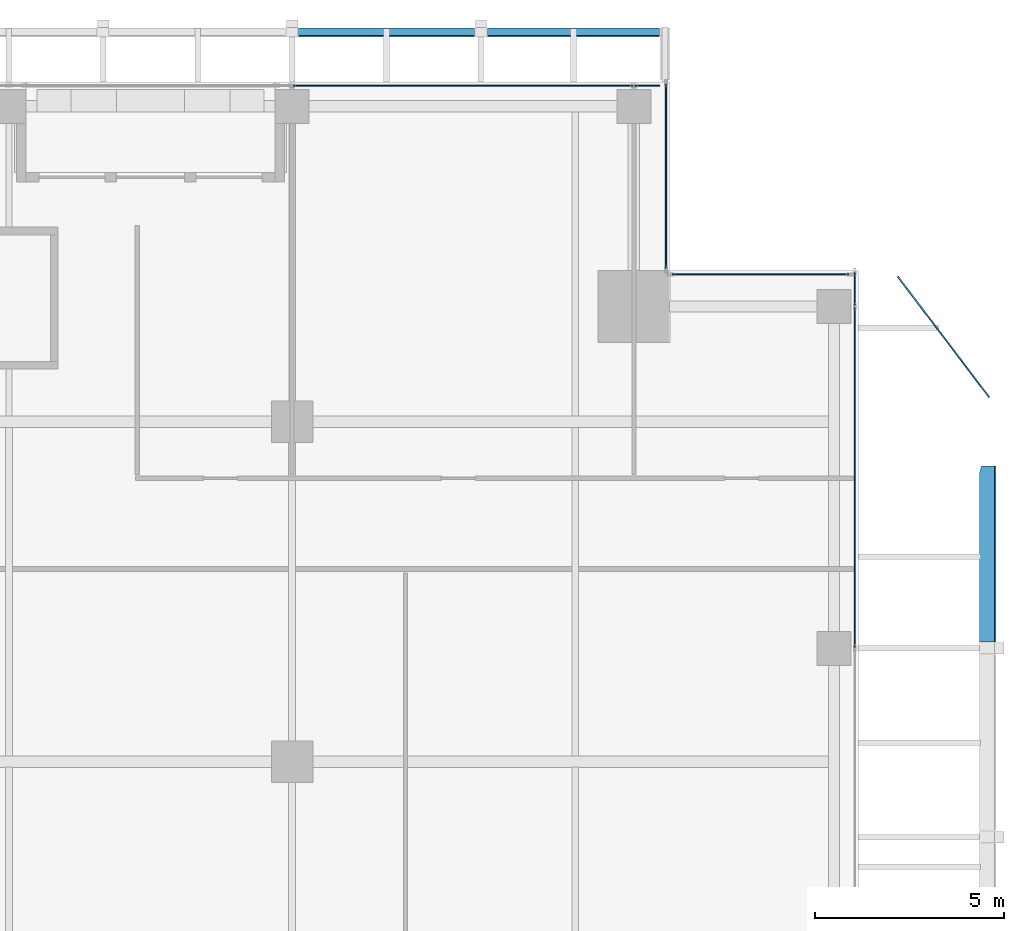
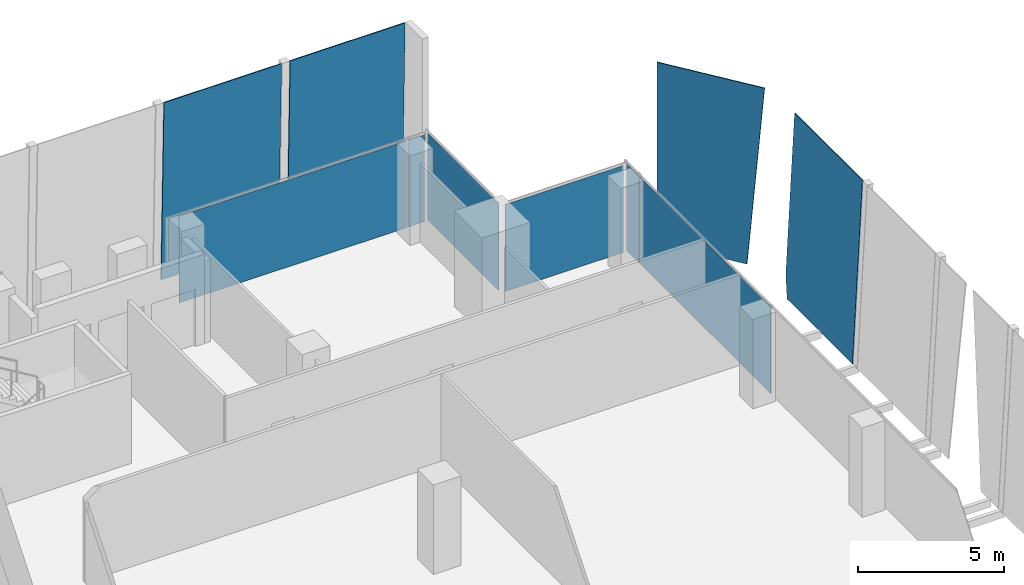
# One storey, part 27 of 35: 10 plates, 4 elements without a shape of their own.
"""IFC4 building model written with IfcOpenShell, lengths in metres."""

import ifcopenshell
import ifcopenshell.guid

model = None  # the IFC model being written
_history = None  # IfcOwnerHistory: only IFC2X3 demands one
_inside = {}  # id of a spatial element -> (the spatial element, [elements in it])
_under = {}  # id of a project, library or spatial element -> (it, [spatial elements below it])
_declared = {}  # id of a project -> (the project, [libraries it declares])
_typed = {}  # id of a type object -> (the type object, [elements of that type])
_made_of = {}  # id of a material, layer set ... -> (it, [elements and type objects made of it])


def new_model(schema):
    """Start an empty IFC model of exactly this schema.

    Asked for "IFC4X3", IfcOpenShell would pick the latest addendum, in which some entities
    have other attributes; the version numbers below select the first issue.
    IFC2X3 requires an IfcOwnerHistory on every rooted entity: one is made here for all.
    """
    global model, _history
    if schema == "IFC4X3":
        model = ifcopenshell.file(schema_version=(4, 3, 0, 0))
    else:
        model = ifcopenshell.file(schema=schema)
    _inside.clear()
    _under.clear()
    _declared.clear()
    _typed.clear()
    _made_of.clear()
    _history = None
    if model.schema == "IFC2X3":
        org = make("IfcOrganization", Name="unknown")
        user = make(
            "IfcPersonAndOrganization",
            ThePerson=make("IfcPerson", FamilyName="unknown"),
            TheOrganization=org,
        )
        app = make(
            "IfcApplication",
            ApplicationDeveloper=org,
            Version="unknown",
            ApplicationFullName="unknown",
            ApplicationIdentifier="unknown",
        )
        _history = make(
            "IfcOwnerHistory",
            OwningUser=user,
            OwningApplication=app,
            ChangeAction="ADDED",
            CreationDate=0,
        )
    return model


def make(cls, **values):
    """One entity of the class cls with the attributes given. An attribute that is None is left unset."""
    return model.create_entity(
        cls, **{name: value for name, value in values.items() if value is not None}
    )


def rooted(cls, **values):
    """An entity with a GlobalId (a new one), such as an element, a storey or a relation."""
    return make(cls, GlobalId=ifcopenshell.guid.new(), OwnerHistory=_history, **values)


def si_unit(unit_type, name, prefix=None):
    """IfcSIUnit, for example si_unit("LENGTHUNIT", "METRE", prefix="MILLI")."""
    return make("IfcSIUnit", UnitType=unit_type, Prefix=prefix, Name=name)


def assignment(units):
    """IfcUnitAssignment: the units of a project."""
    return None if units is None else make("IfcUnitAssignment", Units=units)


def point(xyz):
    """IfcCartesianPoint."""
    return None if xyz is None else make("IfcCartesianPoint", Coordinates=xyz)


def direction(xyz):
    """IfcDirection."""
    return None if xyz is None else make("IfcDirection", DirectionRatios=xyz)


def frame(location, z_axis=None, x_axis=None):
    """IfcAxis2Placement3D, a coordinate frame: its origin and axes. An axis left out is left unset."""
    return make(
        "IfcAxis2Placement3D",
        Location=point(location),
        Axis=direction(z_axis),
        RefDirection=direction(x_axis),
    )


def frame_2d(location, x_axis=None):
    """IfcAxis2Placement2D, a coordinate frame in the plane: its origin and x axis."""
    return make(
        "IfcAxis2Placement2D", Location=point(location), RefDirection=direction(x_axis)
    )


def origin():
    """The frame at (0, 0, 0) with its axes left unset."""
    return frame((0.0, 0.0, 0.0))


def origin_2d():
    """The frame at (0, 0) in the plane with its x axis left unset."""
    return frame_2d((0.0, 0.0))


def place(relative_to, where):
    """IfcLocalPlacement: puts the frame where relative to a parent placement (None: the world)."""
    return make(
        "IfcLocalPlacement", PlacementRelTo=relative_to, RelativePlacement=where
    )


def context(
    kind, dimensions, precision=None, world=None, true_north=None, identifier=None
):
    """IfcGeometricRepresentationContext, for example the 3D "Model" context."""
    return make(
        "IfcGeometricRepresentationContext",
        ContextIdentifier=identifier,
        ContextType=kind,
        CoordinateSpaceDimension=dimensions,
        Precision=precision,
        WorldCoordinateSystem=world,
        TrueNorth=true_north,
    )


def subcontext(parent, identifier, kind, view, scale=None):
    """IfcGeometricRepresentationSubContext, for example "Body" below "Model"."""
    return make(
        "IfcGeometricRepresentationSubContext",
        ContextIdentifier=identifier,
        ContextType=kind,
        ParentContext=parent,
        TargetScale=scale,
        TargetView=view,
    )


def project(units=None, contexts=None):
    """IfcProject with its units and contexts."""
    return rooted(
        "IfcProject",
        Name="project",
        RepresentationContexts=contexts,
        UnitsInContext=assignment(units),
    )


def spatial(cls, under=None, at=None, **own):
    """A site, building, storey or space (cls), placed at a placement, below another one or the project."""
    s = rooted(cls, ObjectPlacement=at, **own)
    if under is not None:
        _under.setdefault(under.id(), (under, []))[1].append(s)
    return s


def polyline(points):
    """IfcPolyline through the points."""
    return make("IfcPolyline", Points=[point(p) for p in points])


def profile(cls, at=None, kind="AREA", **sizes):
    """A parametric profile (cls). Its sizes go by their IFC names, for example OverallWidth=200.0."""
    return make(cls, ProfileType=kind, Position=at, **sizes)


def rectangle(**sizes):
    """IfcRectangleProfileDef."""
    return profile("IfcRectangleProfileDef", **sizes)


def outline(outer, holes=None, kind="AREA"):
    """IfcArbitraryClosedProfileDef: a profile drawn as a closed curve; with holes, ...WithVoids."""
    if holes is None:
        return make("IfcArbitraryClosedProfileDef", ProfileType=kind, OuterCurve=outer)
    return make(
        "IfcArbitraryProfileDefWithVoids",
        ProfileType=kind,
        OuterCurve=outer,
        InnerCurves=holes,
    )


def extrude(swept, where, along, depth):
    """IfcExtrudedAreaSolid: the profile swept, set in the frame where, extruded along a direction by depth."""
    return make(
        "IfcExtrudedAreaSolid",
        SweptArea=swept,
        Position=where,
        ExtrudedDirection=direction(along),
        Depth=depth,
    )


def shape(context_of_items, identifier, shape_type, items):
    """IfcShapeRepresentation: the items that make up one representation, for example the "Body"."""
    return make(
        "IfcShapeRepresentation",
        ContextOfItems=context_of_items,
        RepresentationIdentifier=identifier,
        RepresentationType=shape_type,
        Items=items,
    )


def source(mapping_origin, context_of_items, identifier, shape_type, items):
    """IfcRepresentationMap: a shape defined once, which mapped items show again and again."""
    return make(
        "IfcRepresentationMap",
        MappingOrigin=mapping_origin,
        MappedRepresentation=shape(context_of_items, identifier, shape_type, items),
    )


def transform(
    local_origin,
    x_axis=None,
    y_axis=None,
    z_axis=None,
    scale=None,
    scale2=None,
    scale3=None,
    uniform=True,
):
    """IfcCartesianTransformationOperator3D, or its non-uniform kind. x_axis, y_axis, z_axis: its Axis1, 2, 3."""
    if uniform:
        return make(
            "IfcCartesianTransformationOperator3D",
            Axis1=direction(x_axis),
            Axis2=direction(y_axis),
            LocalOrigin=point(local_origin),
            Scale=scale,
            Axis3=direction(z_axis),
        )
    return make(
        "IfcCartesianTransformationOperator3DnonUniform",
        Axis1=direction(x_axis),
        Axis2=direction(y_axis),
        LocalOrigin=point(local_origin),
        Scale=scale,
        Axis3=direction(z_axis),
        Scale2=scale2,
        Scale3=scale3,
    )


def mapped(mapping_source, mapping_target):
    """IfcMappedItem: shows the shape of a source again, moved by a transform."""
    return make(
        "IfcMappedItem", MappingSource=mapping_source, MappingTarget=mapping_target
    )


def material(Name=None, Category=None):
    """IfcMaterial."""
    return make("IfcMaterial", Name=Name, Category=Category)


def layer(
    of_material, thickness, ventilated=None, Name=None, Category=None, Priority=None
):
    """IfcMaterialLayer: one layer of a wall or slab, of a material (None: an air gap)."""
    return make(
        "IfcMaterialLayer",
        Material=of_material,
        LayerThickness=thickness,
        IsVentilated=ventilated,
        Name=Name,
        Category=Category,
        Priority=Priority,
    )


def layer_set(layers, Name=None):
    """IfcMaterialLayerSet."""
    return make("IfcMaterialLayerSet", MaterialLayers=layers, LayerSetName=Name)


def made_of(thing, what):
    """Note that an element or type object is made of a material, layer set ...; save() writes the relation."""
    if what is not None:
        _made_of.setdefault(what.id(), (what, []))[1].append(thing)
    return thing


def type_object(cls, material=None, **own):
    """A type object (cls), such as IfcWallType, which elements share."""
    return made_of(rooted(cls, **own), material)


def element(
    cls,
    number,
    at=None,
    inside=None,
    cuts=None,
    type_object=None,
    material=None,
    context=None,
    identifier="Body",
    shape_type=None,
    held_by="IfcProductDefinitionShape",
    body=None,
    shapes=None,
    **own,
):
    """One element of the class cls, such as IfcWall. Its Tag is "e" and its number.

    at: its placement. inside: the storey or other place that contains it. cuts: it is an
    opening in that element (IfcRelVoidsElement). A single representation is given by context,
    identifier, shape_type and body (its items); several are given by shapes. held_by: the class
    of the entity that holds the representations. save() writes the other relations.
    """
    e = rooted(cls, Tag="e%d" % number, ObjectPlacement=at, **own)
    if body is not None:
        shapes = [shape(context, identifier, shape_type, body)]
    if shapes is not None:
        e.Representation = make(held_by, Representations=shapes)
    if inside is not None:
        _inside.setdefault(inside.id(), (inside, []))[1].append(e)
    if cuts is not None:
        rooted(
            "IfcRelVoidsElement", RelatingBuildingElement=cuts, RelatedOpeningElement=e
        )
    if type_object is not None:
        _typed.setdefault(type_object.id(), (type_object, []))[1].append(e)
    return made_of(e, material)


def aggregate(whole, parts):
    """IfcRelAggregates: a whole, such as a stair, and the parts it consists of."""
    return rooted("IfcRelAggregates", RelatingObject=whole, RelatedObjects=parts)


def save(model, path):
    """Write the relations noted so far, then the file.

    IfcRelAggregates (storeys below a building ...), IfcRelContainedInSpatialStructure (elements
    in a storey), IfcRelDefinesByType, IfcRelAssociatesMaterial and IfcRelDeclares: one each for
    every whole, place, type object, material and project.
    """
    for whole, parts in _under.values():
        aggregate(whole, parts)
    for where, things in _inside.values():
        rooted(
            "IfcRelContainedInSpatialStructure",
            RelatedElements=things,
            RelatingStructure=where,
        )
    for kind, things in _typed.values():
        rooted("IfcRelDefinesByType", RelatedObjects=things, RelatingType=kind)
    for what, things in _made_of.values():
        rooted("IfcRelAssociatesMaterial", RelatedObjects=things, RelatingMaterial=what)
    for by, libraries in _declared.values():
        rooted("IfcRelDeclares", RelatingContext=by, RelatedDefinitions=libraries)
    model.write(path)


model = new_model("IFC4")

# Units and contexts
model_context = context("Model", 3, precision=1e-05, world=origin(), true_north=direction((0.0, 1.0)))
body_context = subcontext(model_context, "Body", "Model", "MODEL_VIEW")
ifc_project = project(units=[si_unit("LENGTHUNIT", "METRE"), si_unit("AREAUNIT", "SQUARE_METRE"), si_unit("VOLUMEUNIT", "CUBIC_METRE"), si_unit("PLANEANGLEUNIT", "RADIAN"), si_unit("MASSUNIT", "GRAM", prefix="KILO")], contexts=[model_context])

# Site, building, storey
site_placement = place(None, origin())
site = spatial("IfcSite", under=ifc_project, at=site_placement, CompositionType="ELEMENT")
building_placement = place(site_placement, origin())
building = spatial("IfcBuilding", under=site, at=building_placement, Name="Khomas Fold Tower", CompositionType="ELEMENT")
storey_placement = place(building_placement, frame((0.0, 0.0, 266.199951171875)))
storey = spatial("IfcBuildingStorey", under=building, at=storey_placement, Name="L60", CompositionType="ELEMENT", Elevation=266.199951171875)

# Plates
ifc_material_1 = material(Name="Clear laminated glass", Category="glass")
ifc_layer_1 = layer(ifc_material_1, 0.0400390625)
ifc_layer_set_1 = layer_set([ifc_layer_1], Name="Clear laminated glass")
plate_type_1 = type_object("IfcPlateType", Name="SK-Clear laminated glass leaf", PredefinedType="SHEET", material=ifc_layer_set_1)
plate_1_placement = place(storey_placement, frame((52.7060546875, 39.157958984375, 0.0), z_axis=(-0.998630732408, -1.119001e-06, 0.052313098639), x_axis=(1.117469e-06, -0.999999999999, -5.8538e-08)))
element("IfcPlate", 1, at=plate_1_placement, inside=storey, type_object=plate_type_1, Name="OUTER SKIN glass L60 EG103-13", PredefinedType="SHEET", context=body_context, shape_type="SweptSolid", body=[
    extrude(outline(polyline([(0.0, 0.0), (4.48803710937219, 0.0), (4.488037109371974, 7.560401030158401), (-0.17211914062510777, 7.560401030158401), (-0.1721191406365628, 0.8962461865108251), (0.0, 0.0)])), origin(), (0.0, 0.0, -1.0), 0.0400390625),
])
plate_2_placement = place(storey_placement, frame((52.55419921875, 41.654296875, 0.0), z_axis=(-0.797331823004, -0.603541186666, 4.740573e-06), x_axis=(0.052216854238, -0.068975303924, 0.996250875825)))
element("IfcPlate", 2, at=plate_2_placement, inside=storey, type_object=plate_type_1, Name="OUTER SKIN glass L60 EG104-14", PredefinedType="SHEET", context=body_context, shape_type="SweptSolid", body=[
    extrude(outline(polyline([(0.0, 0.0), (7.578461421218067, 0.0), (7.231420405548737, 3.996474534758664), (-0.2903223519925075, 3.3433105467996773), (0.0, 0.0)])), origin(), (0.0, 0.0, -1.0), 0.0400390625),
])
plate_3_placement = place(storey_placement, frame((34.669921875, 50.92724609375, 0.0009765625), z_axis=(0.0, 0.99965715546, 0.026183421048), x_axis=(1.0, 0.0, 0.0)))
element("IfcPlate", 3, at=plate_3_placement, inside=storey, type_object=plate_type_1, Name="OUTER SKIN glass L60 N11", PredefinedType="SHEET", context=body_context, shape_type="SweptSolid", body=[
    extrude(outline(polyline([(0.0, 0.0), (4.66015625, 0.0), (4.66015625, -7.552638208898188), (0.0, -7.552638208898188), (0.0, 0.0)])), origin(), (0.0, 0.0, -1.0), 0.0400390625),
])
plate_4_placement = place(storey_placement, frame((39.669921875, 50.92724609375, 0.0009765625), z_axis=(0.0, 0.99965715546, 0.026183421048), x_axis=(1.0, 0.0, 0.0)))
element("IfcPlate", 4, at=plate_4_placement, inside=storey, type_object=plate_type_1, Name="OUTER SKIN glass L60 N13", PredefinedType="SHEET", context=body_context, shape_type="SweptSolid", body=[
    extrude(outline(polyline([(0.0, 0.0), (4.56005859375, 0.0), (4.56005859375, -7.552638208898188), (0.0, -7.552638208898188), (0.0, 0.0)])), origin(), (0.0, 0.0, -1.0), 0.0400390625),
])

# Curtain wall, plate
ifc_material_2 = material(Name="Aluminium framed double glazing", Category="aluminium")
curtain_wall_type = type_object("IfcCurtainWallType", Name="SK-Unitised clear-glass wall, office floors CW2", PredefinedType="NOTDEFINED", material=ifc_material_2)
curtain_wall_1_placement = place(storey_placement, origin())
curtain_wall_1 = element("IfcCurtainWall", 5, at=curtain_wall_1_placement, inside=storey, type_object=curtain_wall_type, Name="CW2 run L60 06-0", PredefinedType="NOTDEFINED")
ifc_material_3 = material(Name="Clear double glazed unit")
ifc_layer_2 = layer(ifc_material_3, 0.030029296875)
ifc_layer_set_2 = layer_set([ifc_layer_2], Name="Clear double glazed unit")
plate_type_2 = type_object("IfcPlateType", Name="SK-Unitised clear-glass wall, office floors glass panel CW2-P", PredefinedType="CURTAIN_PANEL", material=ifc_layer_set_2)
shared_shape_1 = source(origin(), body_context, "Body", "SweptSolid", [
    extrude(rectangle(XDim=0.659912109375, YDim=0.030029296875, at=origin_2d()), origin(), (0.0, 0.0, 1.0), 3.639892578125),
])
plate_5_placement = place(storey_placement, frame((43.909912109375, 49.39990234375, 0.0), z_axis=(0.0, 0.0, 1.0), x_axis=(-1.0, 0.0, 0.0)))
plate_5 = element("IfcPlate", 6, at=plate_5_placement, type_object=plate_type_2, Name="CW2 glass panel 1", PredefinedType="CURTAIN_PANEL", context=body_context, shape_type="MappedRepresentation", body=[
    mapped(shared_shape_1, transform((0.0, 0.0, 0.0))),
])

# Curtain wall, plates
curtain_wall_2_placement = place(storey_placement, origin())
curtain_wall_2 = element("IfcCurtainWall", 7, at=curtain_wall_2_placement, inside=storey, type_object=curtain_wall_type, Name="CW2 run L60 03-0", PredefinedType="NOTDEFINED")
shared_shape_2 = source(origin(), body_context, "Body", "SweptSolid", [
    extrude(rectangle(XDim=0.860107421875, YDim=0.030029296875, at=origin_2d()), origin(), (0.0, 0.0, 1.0), 3.639892578125),
])
plate_6_placement = place(storey_placement, frame((49.39990234375, 44.010009765625, 0.0), z_axis=(0.0, 0.0, 1.0), x_axis=(0.0, 1.0, 0.0)))
plate_6 = element("IfcPlate", 8, at=plate_6_placement, type_object=plate_type_2, Name="CW2 glass panel 6", PredefinedType="CURTAIN_PANEL", context=body_context, shape_type="MappedRepresentation", body=[
    mapped(shared_shape_2, transform((0.0, 0.0, 0.0))),
])
shared_shape_3 = source(origin(), body_context, "Body", "SweptSolid", [
    extrude(rectangle(XDim=8.989990234375, YDim=0.030029296875, at=origin_2d()), origin(), (0.0, 0.0, 1.0), 3.639892578125),
])
plate_7_placement = place(storey_placement, frame((49.39990234375, 39.02490234375, 0.0), z_axis=(0.0, 0.0, 1.0), x_axis=(0.0, 1.0, 0.0)))
plate_7 = element("IfcPlate", 9, at=plate_7_placement, type_object=plate_type_2, Name="CW2 glass panel 5", PredefinedType="CURTAIN_PANEL", context=body_context, shape_type="MappedRepresentation", body=[
    mapped(shared_shape_3, transform((0.0, 0.0, 0.0))),
])
aggregate(curtain_wall_2, [plate_7, plate_6])

# Plate
plate_8_placement = place(storey_placement, frame((39.02490234375, 49.39990234375, 0.0), z_axis=(0.0, 0.0, 1.0), x_axis=(-1.0, 0.0, 0.0)))
plate_8 = element("IfcPlate", 10, at=plate_8_placement, type_object=plate_type_2, Name="CW2 glass panel 2", PredefinedType="CURTAIN_PANEL", context=body_context, shape_type="MappedRepresentation", body=[
    mapped(shared_shape_3, transform((0.0, 0.0, 0.0))),
])

aggregate(curtain_wall_1, [plate_5, plate_8])

# Curtain wall, plate
curtain_wall_3_placement = place(storey_placement, origin())
curtain_wall_3 = element("IfcCurtainWall", 11, at=curtain_wall_3_placement, inside=storey, type_object=curtain_wall_type, Name="CW2 corner return L60 04", PredefinedType="NOTDEFINED")
shared_shape_4 = source(origin(), body_context, "Body", "SweptSolid", [
    extrude(rectangle(XDim=4.679931640625, YDim=0.030029296875, at=origin_2d()), origin(), (0.0, 0.0, 1.0), 3.639892578125),
])
plate_9_placement = place(storey_placement, frame((46.89990234375, 44.39990234375, 0.0), z_axis=(0.0, 0.0, 1.0), x_axis=(-1.0, 0.0, 0.0)))
plate_9 = element("IfcPlate", 12, at=plate_9_placement, type_object=plate_type_2, Name="CW2 glass panel 1", PredefinedType="CURTAIN_PANEL", context=body_context, shape_type="MappedRepresentation", body=[
    mapped(shared_shape_4, transform((0.0, 0.0, 0.0))),
])
aggregate(curtain_wall_3, [plate_9])

curtain_wall_4_placement = place(storey_placement, origin())
curtain_wall_4 = element("IfcCurtainWall", 13, at=curtain_wall_4_placement, inside=storey, type_object=curtain_wall_type, Name="CW2 corner return L60 05", PredefinedType="NOTDEFINED")
shared_shape_5 = source(origin(), body_context, "Body", "SweptSolid", [
    extrude(rectangle(XDim=4.8798828125, YDim=0.030029296875, at=origin_2d()), origin(), (0.0, 0.0, 1.0), 3.639892578125),
])
plate_10_placement = place(storey_placement, frame((44.39990234375, 47.0, 0.0), z_axis=(0.0, 0.0, 1.0), x_axis=(0.0, 1.0, 0.0)))
plate_10 = element("IfcPlate", 14, at=plate_10_placement, type_object=plate_type_2, Name="CW2 glass panel 1", PredefinedType="CURTAIN_PANEL", context=body_context, shape_type="MappedRepresentation", body=[
    mapped(shared_shape_5, transform((0.0, 0.0, 0.0))),
])
aggregate(curtain_wall_4, [plate_10])

save(model, "model.ifc")
